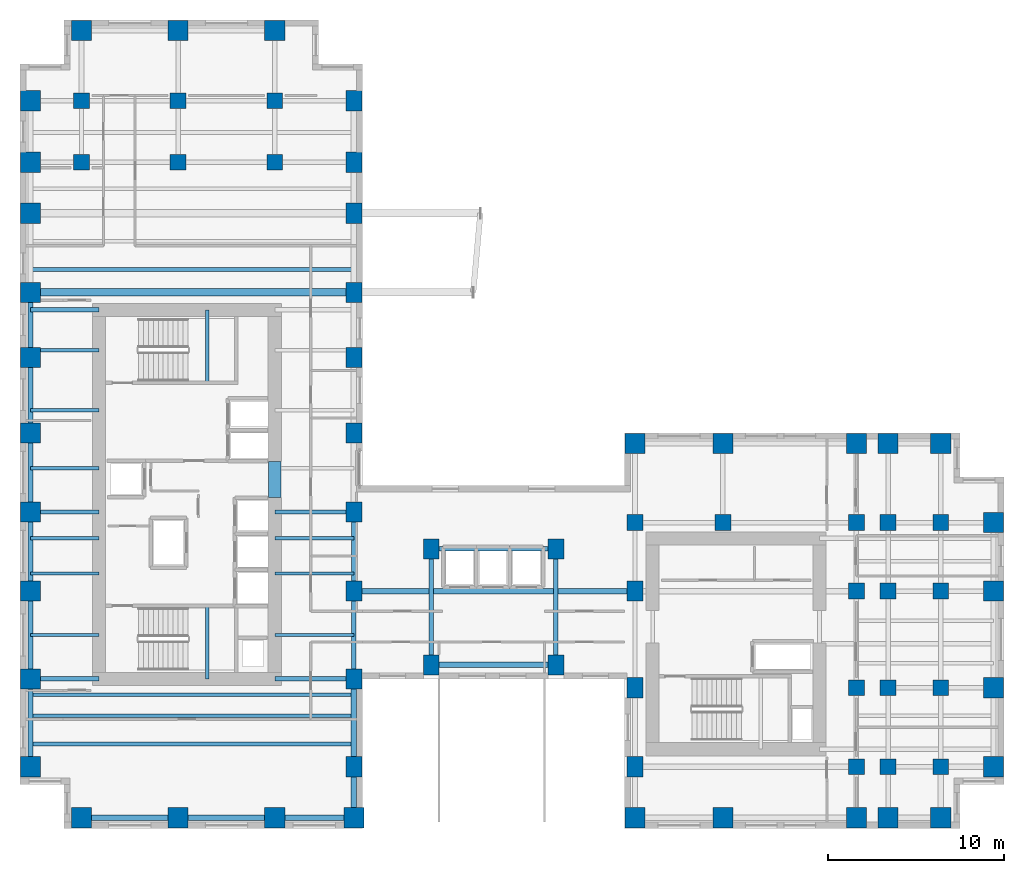
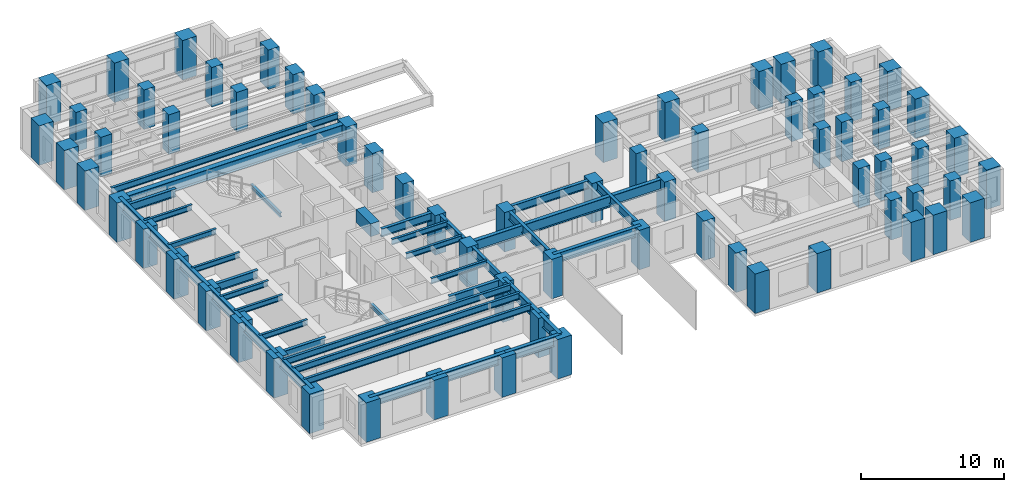
# One storey, part 1 of 13: 68 columns, 40 beams.
"""IFC4 building model written with IfcOpenShell, lengths in metres."""

import ifcopenshell
import ifcopenshell.guid

model = None  # the IFC model being written
_history = None  # IfcOwnerHistory: only IFC2X3 demands one
_inside = {}  # id of a spatial element -> (the spatial element, [elements in it])
_under = {}  # id of a project, library or spatial element -> (it, [spatial elements below it])
_declared = {}  # id of a project -> (the project, [libraries it declares])
_typed = {}  # id of a type object -> (the type object, [elements of that type])
_made_of = {}  # id of a material, layer set ... -> (it, [elements and type objects made of it])


def new_model(schema):
    """Start an empty IFC model of exactly this schema.

    Asked for "IFC4X3", IfcOpenShell would pick the latest addendum, in which some entities
    have other attributes; the version numbers below select the first issue.
    IFC2X3 requires an IfcOwnerHistory on every rooted entity: one is made here for all.
    """
    global model, _history
    if schema == "IFC4X3":
        model = ifcopenshell.file(schema_version=(4, 3, 0, 0))
    else:
        model = ifcopenshell.file(schema=schema)
    _inside.clear()
    _under.clear()
    _declared.clear()
    _typed.clear()
    _made_of.clear()
    _history = None
    if model.schema == "IFC2X3":
        org = make("IfcOrganization", Name="unknown")
        user = make(
            "IfcPersonAndOrganization",
            ThePerson=make("IfcPerson", FamilyName="unknown"),
            TheOrganization=org,
        )
        app = make(
            "IfcApplication",
            ApplicationDeveloper=org,
            Version="unknown",
            ApplicationFullName="unknown",
            ApplicationIdentifier="unknown",
        )
        _history = make(
            "IfcOwnerHistory",
            OwningUser=user,
            OwningApplication=app,
            ChangeAction="ADDED",
            CreationDate=0,
        )
    return model


def make(cls, **values):
    """One entity of the class cls with the attributes given. An attribute that is None is left unset."""
    return model.create_entity(
        cls, **{name: value for name, value in values.items() if value is not None}
    )


def rooted(cls, **values):
    """An entity with a GlobalId (a new one), such as an element, a storey or a relation."""
    return make(cls, GlobalId=ifcopenshell.guid.new(), OwnerHistory=_history, **values)


def si_unit(unit_type, name, prefix=None):
    """IfcSIUnit, for example si_unit("LENGTHUNIT", "METRE", prefix="MILLI")."""
    return make("IfcSIUnit", UnitType=unit_type, Prefix=prefix, Name=name)


def assignment(units):
    """IfcUnitAssignment: the units of a project."""
    return None if units is None else make("IfcUnitAssignment", Units=units)


def point(xyz):
    """IfcCartesianPoint."""
    return None if xyz is None else make("IfcCartesianPoint", Coordinates=xyz)


def direction(xyz):
    """IfcDirection."""
    return None if xyz is None else make("IfcDirection", DirectionRatios=xyz)


def frame(location, z_axis=None, x_axis=None):
    """IfcAxis2Placement3D, a coordinate frame: its origin and axes. An axis left out is left unset."""
    return make(
        "IfcAxis2Placement3D",
        Location=point(location),
        Axis=direction(z_axis),
        RefDirection=direction(x_axis),
    )


def frame_2d(location, x_axis=None):
    """IfcAxis2Placement2D, a coordinate frame in the plane: its origin and x axis."""
    return make(
        "IfcAxis2Placement2D", Location=point(location), RefDirection=direction(x_axis)
    )


def origin():
    """The frame at (0, 0, 0) with its axes left unset."""
    return frame((0.0, 0.0, 0.0))


def origin_2d():
    """The frame at (0, 0) in the plane with its x axis left unset."""
    return frame_2d((0.0, 0.0))


def place(relative_to, where):
    """IfcLocalPlacement: puts the frame where relative to a parent placement (None: the world)."""
    return make(
        "IfcLocalPlacement", PlacementRelTo=relative_to, RelativePlacement=where
    )


def context(
    kind, dimensions, precision=None, world=None, true_north=None, identifier=None
):
    """IfcGeometricRepresentationContext, for example the 3D "Model" context."""
    return make(
        "IfcGeometricRepresentationContext",
        ContextIdentifier=identifier,
        ContextType=kind,
        CoordinateSpaceDimension=dimensions,
        Precision=precision,
        WorldCoordinateSystem=world,
        TrueNorth=true_north,
    )


def subcontext(parent, identifier, kind, view, scale=None):
    """IfcGeometricRepresentationSubContext, for example "Body" below "Model"."""
    return make(
        "IfcGeometricRepresentationSubContext",
        ContextIdentifier=identifier,
        ContextType=kind,
        ParentContext=parent,
        TargetScale=scale,
        TargetView=view,
    )


def project(units=None, contexts=None):
    """IfcProject with its units and contexts."""
    return rooted(
        "IfcProject",
        Name="project",
        RepresentationContexts=contexts,
        UnitsInContext=assignment(units),
    )


def spatial(cls, under=None, at=None, **own):
    """A site, building, storey or space (cls), placed at a placement, below another one or the project."""
    s = rooted(cls, ObjectPlacement=at, **own)
    if under is not None:
        _under.setdefault(under.id(), (under, []))[1].append(s)
    return s


def profile(cls, at=None, kind="AREA", **sizes):
    """A parametric profile (cls). Its sizes go by their IFC names, for example OverallWidth=200.0."""
    return make(cls, ProfileType=kind, Position=at, **sizes)


def rectangle(**sizes):
    """IfcRectangleProfileDef."""
    return profile("IfcRectangleProfileDef", **sizes)


def i_section(**sizes):
    """IfcIShapeProfileDef."""
    return profile("IfcIShapeProfileDef", **sizes)


def extrude(swept, where, along, depth):
    """IfcExtrudedAreaSolid: the profile swept, set in the frame where, extruded along a direction by depth."""
    return make(
        "IfcExtrudedAreaSolid",
        SweptArea=swept,
        Position=where,
        ExtrudedDirection=direction(along),
        Depth=depth,
    )


def shape(context_of_items, identifier, shape_type, items):
    """IfcShapeRepresentation: the items that make up one representation, for example the "Body"."""
    return make(
        "IfcShapeRepresentation",
        ContextOfItems=context_of_items,
        RepresentationIdentifier=identifier,
        RepresentationType=shape_type,
        Items=items,
    )


def source(mapping_origin, context_of_items, identifier, shape_type, items):
    """IfcRepresentationMap: a shape defined once, which mapped items show again and again."""
    return make(
        "IfcRepresentationMap",
        MappingOrigin=mapping_origin,
        MappedRepresentation=shape(context_of_items, identifier, shape_type, items),
    )


def transform(
    local_origin,
    x_axis=None,
    y_axis=None,
    z_axis=None,
    scale=None,
    scale2=None,
    scale3=None,
    uniform=True,
):
    """IfcCartesianTransformationOperator3D, or its non-uniform kind. x_axis, y_axis, z_axis: its Axis1, 2, 3."""
    if uniform:
        return make(
            "IfcCartesianTransformationOperator3D",
            Axis1=direction(x_axis),
            Axis2=direction(y_axis),
            LocalOrigin=point(local_origin),
            Scale=scale,
            Axis3=direction(z_axis),
        )
    return make(
        "IfcCartesianTransformationOperator3DnonUniform",
        Axis1=direction(x_axis),
        Axis2=direction(y_axis),
        LocalOrigin=point(local_origin),
        Scale=scale,
        Axis3=direction(z_axis),
        Scale2=scale2,
        Scale3=scale3,
    )


def mapped(mapping_source, mapping_target):
    """IfcMappedItem: shows the shape of a source again, moved by a transform."""
    return make(
        "IfcMappedItem", MappingSource=mapping_source, MappingTarget=mapping_target
    )


def material(Name=None, Category=None):
    """IfcMaterial."""
    return make("IfcMaterial", Name=Name, Category=Category)


def material_profile(
    of_material, cross_section, Name=None, Category=None, Priority=None
):
    """IfcMaterialProfile: a cross section and its material."""
    return make(
        "IfcMaterialProfile",
        Name=Name,
        Material=of_material,
        Profile=cross_section,
        Priority=Priority,
        Category=Category,
    )


def profile_set(profiles, Name=None, composite=None):
    """IfcMaterialProfileSet."""
    return make(
        "IfcMaterialProfileSet",
        Name=Name,
        MaterialProfiles=profiles,
        CompositeProfile=composite,
    )


def made_of(thing, what):
    """Note that an element or type object is made of a material, layer set ...; save() writes the relation."""
    if what is not None:
        _made_of.setdefault(what.id(), (what, []))[1].append(thing)
    return thing


def type_object(cls, material=None, **own):
    """A type object (cls), such as IfcWallType, which elements share."""
    return made_of(rooted(cls, **own), material)


def element(
    cls,
    number,
    at=None,
    inside=None,
    cuts=None,
    type_object=None,
    material=None,
    context=None,
    identifier="Body",
    shape_type=None,
    held_by="IfcProductDefinitionShape",
    body=None,
    shapes=None,
    **own,
):
    """One element of the class cls, such as IfcWall. Its Tag is "e" and its number.

    at: its placement. inside: the storey or other place that contains it. cuts: it is an
    opening in that element (IfcRelVoidsElement). A single representation is given by context,
    identifier, shape_type and body (its items); several are given by shapes. held_by: the class
    of the entity that holds the representations. save() writes the other relations.
    """
    e = rooted(cls, Tag="e%d" % number, ObjectPlacement=at, **own)
    if body is not None:
        shapes = [shape(context, identifier, shape_type, body)]
    if shapes is not None:
        e.Representation = make(held_by, Representations=shapes)
    if inside is not None:
        _inside.setdefault(inside.id(), (inside, []))[1].append(e)
    if cuts is not None:
        rooted(
            "IfcRelVoidsElement", RelatingBuildingElement=cuts, RelatedOpeningElement=e
        )
    if type_object is not None:
        _typed.setdefault(type_object.id(), (type_object, []))[1].append(e)
    return made_of(e, material)


def aggregate(whole, parts):
    """IfcRelAggregates: a whole, such as a stair, and the parts it consists of."""
    return rooted("IfcRelAggregates", RelatingObject=whole, RelatedObjects=parts)


def save(model, path):
    """Write the relations noted so far, then the file.

    IfcRelAggregates (storeys below a building ...), IfcRelContainedInSpatialStructure (elements
    in a storey), IfcRelDefinesByType, IfcRelAssociatesMaterial and IfcRelDeclares: one each for
    every whole, place, type object, material and project.
    """
    for whole, parts in _under.values():
        aggregate(whole, parts)
    for where, things in _inside.values():
        rooted(
            "IfcRelContainedInSpatialStructure",
            RelatedElements=things,
            RelatingStructure=where,
        )
    for kind, things in _typed.values():
        rooted("IfcRelDefinesByType", RelatedObjects=things, RelatingType=kind)
    for what, things in _made_of.values():
        rooted("IfcRelAssociatesMaterial", RelatedObjects=things, RelatingMaterial=what)
    for by, libraries in _declared.values():
        rooted("IfcRelDeclares", RelatingContext=by, RelatedDefinitions=libraries)
    model.write(path)


model = new_model("IFC4")

# Units and contexts
model_context = context("Model", 3, precision=1e-05, world=origin(), true_north=direction((0.0, 1.0)))
body_context = subcontext(model_context, "Body", "Model", "MODEL_VIEW")
ifc_project = project(units=[si_unit("LENGTHUNIT", "METRE"), si_unit("AREAUNIT", "SQUARE_METRE"), si_unit("VOLUMEUNIT", "CUBIC_METRE"), si_unit("PLANEANGLEUNIT", "RADIAN"), si_unit("MASSUNIT", "GRAM", prefix="KILO")], contexts=[model_context])

# Site, building, storey
site_placement = place(None, origin())
site = spatial("IfcSite", under=ifc_project, at=site_placement, CompositionType="ELEMENT")
building_placement = place(site_placement, origin())
building = spatial("IfcBuilding", under=site, at=building_placement, Name="Kharzan Plaza Tower", CompositionType="ELEMENT")
storey_placement = place(building_placement, frame((0.0, 0.0, 109.800048828125)))
storey = spatial("IfcBuildingStorey", under=building, at=storey_placement, Name="L29", CompositionType="ELEMENT", Elevation=109.800048828125)

# Columns
ifc_material_1 = material(Name="Concrete C50/60", Category="concrete")
ifc_material_profile_1 = material_profile(ifc_material_1, rectangle(XDim=0.89990234375, YDim=0.89990234375, at=origin_2d()), Name="RC-IC900x900")
ifc_profile_set_1 = profile_set([ifc_material_profile_1], Name="Concrete C50/60")
column_type_1 = type_object("IfcColumnType", Name="COL-IC900", PredefinedType="COLUMN", material=ifc_profile_set_1)
shared_shape_1 = source(origin(), body_context, "Body", "SweptSolid", [
    extrude(rectangle(XDim=0.89990234375, YDim=0.89990234375, at=origin_2d()), origin(), (0.0, 0.0, 1.0), 3.3798828125),
])
for number, where, z_axis, x_axis, name in (
    (1, (47.60009765625, 13.5, 0.0), (0.0, 0.0, 1.0), (1.0, 0.0, 0.0), "L29 Structural Column TCBI-135"),
    (2, (47.60009765625, 3.5, 0.0), (0.0, 0.0, 1.0), (1.0, 0.0, 0.0), "L29 Structural Column TCBI-35"),
    (3, (47.60009765625, 8.0, 0.0), (0.0, 0.0, 1.0), (1.0, 0.0, 0.0), "L29 Structural Column TCBI-80"),
    (4, (35.0, 17.39990234375, 0.0), (0.0, 0.0, 1.0), (1.0, 0.0, 0.0), "L29 Structural Column TCBN-350-174"),
    (5, (40.0, 17.39990234375, 0.0), (0.0, 0.0, 1.0), (1.0, 0.0, 0.0), "L29 Structural Column TCBN-400-174"),
    (6, (47.60009765625, 17.39990234375, 0.0), (0.0, 0.0, 1.0), (1.0, 0.0, 0.0), "L29 Structural Column TCBN-476-174"),
    (7, (49.39990234375, 13.5, 0.0), (0.0, 0.0, 1.0), (1.0, 0.0, 0.0), "L29 Structural Column TCE-494-135"),
    (8, (49.39990234375, 17.39990234375, 0.0), (0.0, 0.0, 1.0), (1.0, 0.0, 0.0), "L29 Structural Column TCE-494-174"),
    (9, (49.39990234375, 3.5, 0.0), (0.0, 0.0, 1.0), (1.0, 0.0, 0.0), "L29 Structural Column TCE-494-35"),
    (10, (49.39990234375, 8.0, 0.0), (0.0, 0.0, 1.0), (1.0, 0.0, 0.0), "L29 Structural Column TCE-494-80"),
    (11, (52.39990234375, 13.5, 0.0), (0.0, 0.0, 1.0), (1.0, 0.0, 0.0), "L29 Structural Column TCE-524-135"),
    (12, (52.39990234375, 17.39990234375, 0.0), (0.0, 0.0, 1.0), (1.0, 0.0, 0.0), "L29 Structural Column TCE-524-174"),
    (13, (52.39990234375, 3.5, 0.0), (0.0, 0.0, 1.0), (1.0, 0.0, 0.0), "L29 Structural Column TCE-524-35"),
    (14, (52.39990234375, 8.0, 0.0), (0.0, 0.0, 1.0), (1.0, 0.0, 0.0), "L29 Structural Column TCE-524-80"),
    (15, (14.5, 37.89990234375, 0.0), (0.0, 0.0, 1.0), (1.0, 0.0, 0.0), "L29 Structural Column TCN-145-379"),
    (16, (14.5, 41.39990234375, 0.0), (0.0, 0.0, 1.0), (1.0, 0.0, 0.0), "L29 Structural Column TCN-145-414"),
    (17, (3.5, 37.89990234375, 0.0), (0.0, 0.0, 1.0), (1.0, 0.0, 0.0), "L29 Structural Column TCN-35-379"),
    (18, (3.5, 41.39990234375, 0.0), (0.0, 0.0, 1.0), (1.0, 0.0, 0.0), "L29 Structural Column TCN-35-414"),
    (19, (9.0, 37.89990234375, 0.0), (0.0, 0.0, 1.0), (1.0, 0.0, 0.0), "L29 Structural Column TCN-90-379"),
    (20, (9.0, 41.39990234375, 0.0), (0.0, 0.0, 1.0), (1.0, 0.0, 0.0), "L29 Structural Column TCN-90-414"),
):
    element("IfcColumn", number, at=place(storey_placement, frame(where, z_axis=z_axis, x_axis=x_axis)), inside=storey, type_object=column_type_1, Name=name, PredefinedType="COLUMN", context=body_context, shape_type="MappedRepresentation", body=[
        mapped(shared_shape_1, transform((0.0, 0.0, 0.0), x_axis=(1.0, 0.0, 0.0), y_axis=(0.0, 1.0, 0.0), z_axis=(0.0, 0.0, 1.0))),
    ])
ifc_material_2 = material(Name="Concrete C60/75", Category="concrete")
ifc_material_profile_2 = material_profile(ifc_material_2, rectangle(XDim=0.89990234375, YDim=1.14990234375, at=origin_2d()), Name="RC-SC1150x900")
ifc_profile_set_2 = profile_set([ifc_material_profile_2], Name="Concrete C60/75")
column_type_2 = type_object("IfcColumnType", Name="COL-SC1150", PredefinedType="COLUMN", material=ifc_profile_set_2)
shared_shape_2 = source(origin(), body_context, "Body", "SweptSolid", [
    extrude(rectangle(XDim=0.89990234375, YDim=1.14990234375, at=origin_2d()), origin(), (0.0, 0.0, 1.0), 3.3798828125),
])
for number, where, z_axis, x_axis, name in (
    (21, (19.0, 13.5, 0.0), (0.0, 0.0, 1.0), (1.0, 0.0, 0.0), "L29 Structural Column TCA-135"),
    (22, (19.0, 18.0, 0.0), (0.0, 0.0, 1.0), (1.0, 0.0, 0.0), "L29 Structural Column TCA-180"),
    (23, (19.0, 22.5, 0.0), (0.0, 0.0, 1.0), (1.0, 0.0, 0.0), "L29 Structural Column TCA-225"),
    (24, (19.0, 26.800048828125, 0.0), (0.0, 0.0, 1.0), (1.0, 0.0, 0.0), "L29 Structural Column TCA-268"),
    (25, (19.0, 30.5, 0.0), (0.0, 0.0, 1.0), (1.0, 0.0, 0.0), "L29 Structural Column TCA-305"),
    (26, (19.0, 3.5, 0.0), (0.0, 0.0, 1.0), (1.0, 0.0, 0.0), "L29 Structural Column TCA-35"),
    (27, (19.0, 35.0, 0.0), (0.0, 0.0, 1.0), (1.0, 0.0, 0.0), "L29 Structural Column TCA-350"),
    (28, (19.0, 37.89990234375, 0.0), (0.0, 0.0, 1.0), (1.0, 0.0, 0.0), "L29 Structural Column TCA-379"),
    (29, (19.0, 41.39990234375, 0.0), (0.0, 0.0, 1.0), (1.0, 0.0, 0.0), "L29 Structural Column TCA-414"),
    (30, (19.0, 8.5, 0.0), (0.0, 0.0, 1.0), (1.0, 0.0, 0.0), "L29 Structural Column TCA-85"),
    (31, (35.0, 13.5, 0.0), (0.0, 0.0, 1.0), (1.0, 0.0, 0.0), "L29 Structural Column TCBS-135"),
    (32, (35.0, 3.5, 0.0), (0.0, 0.0, 1.0), (1.0, 0.0, 0.0), "L29 Structural Column TCBS-35"),
    (33, (35.0, 8.0, 0.0), (0.0, 0.0, 1.0), (1.0, 0.0, 0.0), "L29 Structural Column TCBS-80"),
    (34, (23.39990234375, 15.89990234375, 0.0), (0.0, 0.0, 1.0), (1.0, 0.0, 0.0), "L29 Structural Column TCSP-234-159"),
    (35, (23.39990234375, 9.300048828125, 0.0), (0.0, 0.0, 1.0), (1.0, 0.0, 0.0), "L29 Structural Column TCSP-234-93"),
    (36, (30.5, 15.89990234375, 0.0), (0.0, 0.0, 1.0), (1.0, 0.0, 0.0), "L29 Structural Column TCSP-305-159"),
    (37, (30.5, 9.300048828125, 0.0), (0.0, 0.0, 1.0), (1.0, 0.0, 0.0), "L29 Structural Column TCSP-305-93"),
):
    element("IfcColumn", number, at=place(storey_placement, frame(where, z_axis=z_axis, x_axis=x_axis)), inside=storey, type_object=column_type_2, Name=name, PredefinedType="COLUMN", context=body_context, shape_type="MappedRepresentation", body=[
        mapped(shared_shape_2, transform((0.0, 0.0, 0.0), x_axis=(1.0, 0.0, 0.0), y_axis=(0.0, 1.0, 0.0), z_axis=(0.0, 0.0, 1.0))),
    ])
ifc_material_profile_3 = material_profile(ifc_material_2, rectangle(XDim=1.14990234375, YDim=1.14990234375, at=origin_2d()), Name="RC-TC1150x1150")
ifc_profile_set_3 = profile_set([ifc_material_profile_3], Name="Concrete C60/75")
column_type_3 = type_object("IfcColumnType", Name="COL-TC1150", PredefinedType="COLUMN", material=ifc_profile_set_3)
shared_shape_3 = source(origin(), body_context, "Body", "SweptSolid", [
    extrude(rectangle(XDim=1.14990234375, YDim=1.14990234375, at=origin_2d()), origin(), (0.0, 0.0, 1.0), 3.3798828125),
])
for number, where, z_axis, x_axis, name in (
    (38, (35.0, 21.89990234375, 0.0), (0.0, 0.0, 1.0), (1.0, 0.0, 0.0), "L29 Structural Column TCBN-350-219"),
    (39, (40.0, 21.89990234375, 0.0), (0.0, 0.0, 1.0), (1.0, 0.0, 0.0), "L29 Structural Column TCBN-400-219"),
    (40, (47.60009765625, 21.89990234375, 0.0), (0.0, 0.0, 1.0), (1.0, 0.0, 0.0), "L29 Structural Column TCBN-476-219"),
    (41, (49.39990234375, 21.89990234375, 0.0), (0.0, 0.0, 1.0), (1.0, 0.0, 0.0), "L29 Structural Column TCBN-494-219"),
    (42, (52.39990234375, 21.89990234375, 0.0), (0.0, 0.0, 1.0), (1.0, 0.0, 0.0), "L29 Structural Column TCBN-524-219"),
    (43, (55.39990234375, 13.5, 0.0), (0.0, 0.0, 1.0), (1.0, 0.0, 0.0), "L29 Structural Column TCE-554-135"),
    (44, (55.39990234375, 17.39990234375, 0.0), (0.0, 0.0, 1.0), (1.0, 0.0, 0.0), "L29 Structural Column TCE-554-174"),
    (45, (55.39990234375, 3.5, 0.0), (0.0, 0.0, 1.0), (1.0, 0.0, 0.0), "L29 Structural Column TCE-554-35"),
    (46, (55.39990234375, 8.0, 0.0), (0.0, 0.0, 1.0), (1.0, 0.0, 0.0), "L29 Structural Column TCE-554-80"),
    (47, (14.5, 45.39990234375, 0.0), (0.0, 0.0, 1.0), (1.0, 0.0, 0.0), "L29 Structural Column TCN-145-454"),
    (48, (3.5, 45.39990234375, 0.0), (0.0, 0.0, 1.0), (1.0, 0.0, 0.0), "L29 Structural Column TCN-35-454"),
    (49, (9.0, 45.39990234375, 0.0), (0.0, 0.0, 1.0), (1.0, 0.0, 0.0), "L29 Structural Column TCN-90-454"),
    (50, (14.5, 0.60009765625, 0.0), (0.0, 0.0, 1.0), (1.0, 0.0, 0.0), "L29 Structural Column TCS-145"),
    (51, (19.0, 0.60009765625, 0.0), (0.0, 0.0, 1.0), (1.0, 0.0, 0.0), "L29 Structural Column TCS-190"),
    (52, (3.5, 0.60009765625, 0.0), (0.0, 0.0, 1.0), (1.0, 0.0, 0.0), "L29 Structural Column TCS-35"),
    (53, (35.0, 0.60009765625, 0.0), (0.0, 0.0, 1.0), (1.0, 0.0, 0.0), "L29 Structural Column TCS-350"),
    (54, (40.0, 0.60009765625, 0.0), (0.0, 0.0, 1.0), (1.0, 0.0, 0.0), "L29 Structural Column TCS-400"),
    (55, (47.60009765625, 0.60009765625, 0.0), (0.0, 0.0, 1.0), (1.0, 0.0, 0.0), "L29 Structural Column TCS-476"),
    (56, (49.39990234375, 0.60009765625, 0.0), (0.0, 0.0, 1.0), (1.0, 0.0, 0.0), "L29 Structural Column TCS-494"),
    (57, (52.39990234375, 0.60009765625, 0.0), (0.0, 0.0, 1.0), (1.0, 0.0, 0.0), "L29 Structural Column TCS-524"),
    (58, (9.0, 0.60009765625, 0.0), (0.0, 0.0, 1.0), (1.0, 0.0, 0.0), "L29 Structural Column TCS-90"),
    (59, (0.60009765625, 13.5, 0.0), (0.0, 0.0, 1.0), (1.0, 0.0, 0.0), "L29 Structural Column TCW-135"),
    (60, (0.60009765625, 18.0, 0.0), (0.0, 0.0, 1.0), (1.0, 0.0, 0.0), "L29 Structural Column TCW-180"),
    (61, (0.60009765625, 22.5, 0.0), (0.0, 0.0, 1.0), (1.0, 0.0, 0.0), "L29 Structural Column TCW-225"),
    (62, (0.60009765625, 26.800048828125, 0.0), (0.0, 0.0, 1.0), (1.0, 0.0, 0.0), "L29 Structural Column TCW-268"),
    (63, (0.60009765625, 30.5, 0.0), (0.0, 0.0, 1.0), (1.0, 0.0, 0.0), "L29 Structural Column TCW-305"),
    (64, (0.60009765625, 3.5, 0.0), (0.0, 0.0, 1.0), (1.0, 0.0, 0.0), "L29 Structural Column TCW-35"),
    (65, (0.60009765625, 35.0, 0.0), (0.0, 0.0, 1.0), (1.0, 0.0, 0.0), "L29 Structural Column TCW-350"),
    (66, (0.60009765625, 37.89990234375, 0.0), (0.0, 0.0, 1.0), (1.0, 0.0, 0.0), "L29 Structural Column TCW-379"),
    (67, (0.60009765625, 41.39990234375, 0.0), (0.0, 0.0, 1.0), (1.0, 0.0, 0.0), "L29 Structural Column TCW-414"),
    (68, (0.60009765625, 8.5, 0.0), (0.0, 0.0, 1.0), (1.0, 0.0, 0.0), "L29 Structural Column TCW-85"),
):
    element("IfcColumn", number, at=place(storey_placement, frame(where, z_axis=z_axis, x_axis=x_axis)), inside=storey, type_object=column_type_3, Name=name, PredefinedType="COLUMN", context=body_context, shape_type="MappedRepresentation", body=[
        mapped(shared_shape_3, transform((0.0, 0.0, 0.0), x_axis=(1.0, 0.0, 0.0), y_axis=(0.0, 1.0, 0.0), z_axis=(0.0, 0.0, 1.0))),
    ])

# Beams
ifc_material_profile_4 = material_profile(ifc_material_2, rectangle(XDim=0.699951171875, YDim=1.10009765625, at=origin_2d()), Name="RC-CB1100x700")
ifc_profile_set_4 = profile_set([ifc_material_profile_4], Name="Concrete C60/75")
beam_type_1 = type_object("IfcBeamType", Name="BM-RCCB1100", PredefinedType="LINTEL", material=ifc_profile_set_4)
shared_shape_4 = source(origin(), body_context, "Body", "SweptSolid", [
    extrude(rectangle(XDim=0.699951171875, YDim=1.10009765625, at=origin_2d()), origin(), (0.0, 0.0, 1.0), 2.059814453125),
])
beam_1_placement = place(storey_placement, frame((14.5, 18.820068359375, 2.829833984375), z_axis=(0.0, 1.0, 0.0), x_axis=(-1.0, 0.0, 0.0)))
element("IfcBeam", 69, at=beam_1_placement, inside=storey, type_object=beam_type_1, Name="L29 CORE-A RC coupling beam CB1", PredefinedType="LINTEL", context=body_context, shape_type="MappedRepresentation", body=[
    mapped(shared_shape_4, transform((0.0, 0.0, 0.0), x_axis=(1.0, 0.0, 0.0), y_axis=(0.0, 1.0, 0.0), z_axis=(0.0, 0.0, 1.0))),
])
ifc_material_3 = material(Name="Steel S355", Category="steel")
ifc_material_profile_5 = material_profile(ifc_material_3, i_section(OverallWidth=0.205078125, OverallDepth=0.35400390625, WebThickness=0.009521484375, FlangeThickness=0.016845703125, at=origin_2d()), Name="W360x79")
ifc_profile_set_5 = profile_set([ifc_material_profile_5], Name="Steel S355")
beam_type_2 = type_object("IfcBeamType", Name="BM-LNT360", PredefinedType="LINTEL", material=ifc_profile_set_5)
shared_shape_5 = source(origin(), body_context, "Body", "SweptSolid", [
    extrude(i_section(OverallWidth=0.205078125, OverallDepth=0.35400390625, WebThickness=0.009521484375, FlangeThickness=0.016845703125, at=origin_2d()), origin(), (0.0, 0.0, 1.0), 4.155029296875),
])
for number, where, z_axis, x_axis, name in (
    (70, (10.64990234375, 8.5, 1.4228515625), (0.0, 1.0, 0.0), (-1.0, 0.0, 0.0), "L29 Stair ST-1 Half-Landing Beam"),
    (71, (10.64990234375, 25.344970703125, 1.4228515625), (0.0, 1.0, 0.0), (-1.0, 0.0, 0.0), "L29 Stair ST-2 Half-Landing Beam"),
):
    element("IfcBeam", number, at=place(storey_placement, frame(where, z_axis=z_axis, x_axis=x_axis)), inside=storey, type_object=beam_type_2, Name=name, PredefinedType="LINTEL", context=body_context, shape_type="MappedRepresentation", body=[
        mapped(shared_shape_5, transform((0.0, 0.0, 0.0), x_axis=(1.0, 0.0, 0.0), y_axis=(0.0, 1.0, 0.0), z_axis=(0.0, 0.0, 1.0))),
    ])
ifc_material_profile_6 = material_profile(ifc_material_3, i_section(OverallWidth=0.304931640625, OverallDepth=0.9189453125, WebThickness=0.017333984375, FlangeThickness=0.02783203125, at=origin_2d()), Name="W920x253")
ifc_profile_set_6 = profile_set([ifc_material_profile_6], Name="Steel S355")
beam_type_3 = type_object("IfcBeamType", Name="BM-FG920B", PredefinedType="BEAM", material=ifc_profile_set_6)
shared_shape_6 = source(origin(), body_context, "Body", "SweptSolid", [
    extrude(i_section(OverallWidth=0.304931640625, OverallDepth=0.9189453125, WebThickness=0.017333984375, FlangeThickness=0.02783203125, at=origin_2d()), origin(), (0.0, 0.0, 1.0), 16.0),
])
beam_2_placement = place(storey_placement, frame((19.0, 13.5, 2.92041015625), z_axis=(1.0, 0.0, 0.0), x_axis=(0.0, 1.0, 0.0)))
element("IfcBeam", 72, at=beam_2_placement, inside=storey, type_object=beam_type_3, Name="L29 Primary Floor Girder", PredefinedType="BEAM", context=body_context, shape_type="MappedRepresentation", body=[
    mapped(shared_shape_6, transform((0.0, 0.0, 0.0), x_axis=(1.0, 0.0, 0.0), y_axis=(0.0, 1.0, 0.0), z_axis=(0.0, 0.0, 1.0))),
])
ifc_material_profile_7 = material_profile(ifc_material_3, i_section(OverallWidth=0.2099609375, OverallDepth=0.537109375, WebThickness=0.010986328125, FlangeThickness=0.017333984375, at=origin_2d()), Name="W530x101")
ifc_profile_set_7 = profile_set([ifc_material_profile_7], Name="Steel S355")
beam_type_4 = type_object("IfcBeamType", Name="BM-JST530B", PredefinedType="JOIST", material=ifc_profile_set_7)
shared_shape_7 = source(origin(), body_context, "Body", "SweptSolid", [
    extrude(i_section(OverallWidth=0.2099609375, OverallDepth=0.537109375, WebThickness=0.010986328125, FlangeThickness=0.017333984375, at=origin_2d()), origin(), (0.0, 0.0, 1.0), 18.39990234375),
])
for number, where, z_axis, x_axis, name in (
    (73, (0.60009765625, 4.800048828125, 3.111572265625), (1.0, 0.0, 0.0), (0.0, 1.0, 0.0), "L29 Wing A Composite Joist 01"),
    (74, (0.60009765625, 6.39990234375, 3.111572265625), (1.0, 0.0, 0.0), (0.0, 1.0, 0.0), "L29 Wing A Composite Joist 02"),
    (75, (0.60009765625, 7.60009765625, 3.111572265625), (1.0, 0.0, 0.0), (0.0, 1.0, 0.0), "L29 Wing A Composite Joist 03"),
    (76, (0.60009765625, 31.800048828125, 3.111572265625), (1.0, 0.0, 0.0), (0.0, 1.0, 0.0), "L29 Wing A Composite Joist 04"),
):
    element("IfcBeam", number, at=place(storey_placement, frame(where, z_axis=z_axis, x_axis=x_axis)), inside=storey, type_object=beam_type_4, Name=name, PredefinedType="JOIST", context=body_context, shape_type="MappedRepresentation", body=[
        mapped(shared_shape_7, transform((0.0, 0.0, 0.0), x_axis=(1.0, 0.0, 0.0), y_axis=(0.0, 1.0, 0.0), z_axis=(0.0, 0.0, 1.0))),
    ])
ifc_material_profile_8 = material_profile(ifc_material_3, i_section(OverallWidth=0.194091796875, OverallDepth=0.468994140625, WebThickness=0.011474609375, FlangeThickness=0.0205078125, at=origin_2d()), Name="W460x106")
ifc_profile_set_8 = profile_set([ifc_material_profile_8], Name="Steel S355")
beam_type_5 = type_object("IfcBeamType", Name="BM-JST460", PredefinedType="JOIST", material=ifc_profile_set_8)
shared_shape_8 = source(origin(), body_context, "Body", "SweptSolid", [
    extrude(i_section(OverallWidth=0.194091796875, OverallDepth=0.468994140625, WebThickness=0.011474609375, FlangeThickness=0.0205078125, at=origin_2d()), origin(), (0.0, 0.0, 1.0), 4.5),
])
for number, where, z_axis, x_axis, name in (
    (77, (14.5, 11.0, 3.1455078125), (1.0, 0.0, 0.0), (0.0, 1.0, 0.0), "L29 Wing A East Infill Joist 1"),
    (78, (14.5, 14.5, 3.1455078125), (1.0, 0.0, 0.0), (0.0, 1.0, 0.0), "L29 Wing A East Infill Joist 2"),
    (79, (14.5, 16.5, 3.1455078125), (1.0, 0.0, 0.0), (0.0, 1.0, 0.0), "L29 Wing A East Infill Joist 3"),
):
    element("IfcBeam", number, at=place(storey_placement, frame(where, z_axis=z_axis, x_axis=x_axis)), inside=storey, type_object=beam_type_5, Name=name, PredefinedType="JOIST", context=body_context, shape_type="MappedRepresentation", body=[
        mapped(shared_shape_8, transform((0.0, 0.0, 0.0), x_axis=(1.0, 0.0, 0.0), y_axis=(0.0, 1.0, 0.0), z_axis=(0.0, 0.0, 1.0))),
    ])
shared_shape_9 = source(origin(), body_context, "Body", "SweptSolid", [
    extrude(i_section(OverallWidth=0.194091796875, OverallDepth=0.468994140625, WebThickness=0.011474609375, FlangeThickness=0.0205078125, at=origin_2d()), origin(), (0.0, 0.0, 1.0), 3.89990234375),
])
for number, where, z_axis, x_axis, name in (
    (80, (0.60009765625, 11.0, 3.1455078125), (1.0, 0.0, 0.0), (0.0, 1.0, 0.0), "L29 Wing A West Infill Joist 1"),
    (81, (0.60009765625, 14.5, 3.1455078125), (1.0, 0.0, 0.0), (0.0, 1.0, 0.0), "L29 Wing A West Infill Joist 2"),
    (82, (0.60009765625, 16.5, 3.1455078125), (1.0, 0.0, 0.0), (0.0, 1.0, 0.0), "L29 Wing A West Infill Joist 3"),
    (83, (0.60009765625, 20.5, 3.1455078125), (1.0, 0.0, 0.0), (0.0, 1.0, 0.0), "L29 Wing A West Infill Joist 4"),
    (84, (0.60009765625, 23.800048828125, 3.1455078125), (1.0, 0.0, 0.0), (0.0, 1.0, 0.0), "L29 Wing A West Infill Joist 5"),
    (85, (0.60009765625, 27.199951171875, 3.1455078125), (1.0, 0.0, 0.0), (0.0, 1.0, 0.0), "L29 Wing A West Infill Joist 6"),
):
    element("IfcBeam", number, at=place(storey_placement, frame(where, z_axis=z_axis, x_axis=x_axis)), inside=storey, type_object=beam_type_5, Name=name, PredefinedType="JOIST", context=body_context, shape_type="MappedRepresentation", body=[
        mapped(shared_shape_9, transform((0.0, 0.0, 0.0), x_axis=(1.0, 0.0, 0.0), y_axis=(0.0, 1.0, 0.0), z_axis=(0.0, 0.0, 1.0))),
    ])
ifc_material_profile_9 = material_profile(ifc_material_3, i_section(OverallWidth=0.41796875, OverallDepth=0.93701171875, WebThickness=0.019287109375, FlangeThickness=0.031982421875, at=origin_2d()), Name="W920x342")
ifc_profile_set_9 = profile_set([ifc_material_profile_9], Name="Steel S355")
beam_type_6 = type_object("IfcBeamType", Name="BM-ZTB920", PredefinedType="BEAM", material=ifc_profile_set_9)
shared_shape_10 = source(origin(), body_context, "Body", "SweptSolid", [
    extrude(i_section(OverallWidth=0.41796875, OverallDepth=0.93701171875, WebThickness=0.019287109375, FlangeThickness=0.031982421875, at=origin_2d()), origin(), (0.0, 0.0, 1.0), 18.39990234375),
])
beam_3_placement = place(storey_placement, frame((0.60009765625, 30.5, 2.911376953125), z_axis=(1.0, 0.0, 0.0), x_axis=(0.0, 1.0, 0.0)))
element("IfcBeam", 86, at=beam_3_placement, inside=storey, type_object=beam_type_6, Name="L29 Sky-Terrace Back-Span Girder ZTB1 (L30 G1)", PredefinedType="BEAM", context=body_context, shape_type="MappedRepresentation", body=[
    mapped(shared_shape_10, transform((0.0, 0.0, 0.0), x_axis=(1.0, 0.0, 0.0), y_axis=(0.0, 1.0, 0.0), z_axis=(0.0, 0.0, 1.0))),
])
ifc_material_profile_10 = material_profile(ifc_material_3, i_section(OverallWidth=0.25390625, OverallDepth=0.68798828125, WebThickness=0.01318359375, FlangeThickness=0.02099609375, at=origin_2d()), Name="W690x152")
ifc_profile_set_10 = profile_set([ifc_material_profile_10], Name="Steel S355")
beam_type_7 = type_object("IfcBeamType", Name="BM-FG690B", PredefinedType="BEAM", material=ifc_profile_set_10)
shared_shape_11 = source(origin(), body_context, "Body", "SweptSolid", [
    extrude(i_section(OverallWidth=0.25390625, OverallDepth=0.68798828125, WebThickness=0.01318359375, FlangeThickness=0.02099609375, at=origin_2d()), origin(), (0.0, 0.0, 1.0), 4.5),
])
for number, where, z_axis, x_axis, name in (
    (87, (14.5, 8.5, 3.035888671875), (1.0, 0.0, 0.0), (0.0, 1.0, 0.0), "L29 Core-A East Floor Girder 1"),
    (88, (14.5, 18.0, 3.035888671875), (1.0, 0.0, 0.0), (0.0, 1.0, 0.0), "L29 Core-A East Floor Girder 2"),
    (89, (19.0, 13.5, 3.035888671875), (0.0, 1.0, 0.0), (-1.0, 0.0, 0.0), "L29 Interior Frame Girder"),
):
    element("IfcBeam", number, at=place(storey_placement, frame(where, z_axis=z_axis, x_axis=x_axis)), inside=storey, type_object=beam_type_7, Name=name, PredefinedType="BEAM", context=body_context, shape_type="MappedRepresentation", body=[
        mapped(shared_shape_11, transform((0.0, 0.0, 0.0), x_axis=(1.0, 0.0, 0.0), y_axis=(0.0, 1.0, 0.0), z_axis=(0.0, 0.0, 1.0))),
    ])
shared_shape_12 = source(origin(), body_context, "Body", "SweptSolid", [
    extrude(i_section(OverallWidth=0.25390625, OverallDepth=0.68798828125, WebThickness=0.01318359375, FlangeThickness=0.02099609375, at=origin_2d()), origin(), (0.0, 0.0, 1.0), 3.89990234375),
])
for number, where, z_axis, x_axis, name in (
    (90, (0.60009765625, 8.5, 3.035888671875), (1.0, 0.0, 0.0), (0.0, 1.0, 0.0), "L29 Core-A West Floor Girder 1"),
    (91, (0.60009765625, 18.0, 3.035888671875), (1.0, 0.0, 0.0), (0.0, 1.0, 0.0), "L29 Core-A West Floor Girder 2"),
    (92, (0.60009765625, 29.5, 3.035888671875), (1.0, 0.0, 0.0), (0.0, 1.0, 0.0), "L29 Core-A West Floor Girder 3"),
):
    element("IfcBeam", number, at=place(storey_placement, frame(where, z_axis=z_axis, x_axis=x_axis)), inside=storey, type_object=beam_type_7, Name=name, PredefinedType="BEAM", context=body_context, shape_type="MappedRepresentation", body=[
        mapped(shared_shape_12, transform((0.0, 0.0, 0.0), x_axis=(1.0, 0.0, 0.0), y_axis=(0.0, 1.0, 0.0), z_axis=(0.0, 0.0, 1.0))),
    ])
shared_shape_13 = source(origin(), body_context, "Body", "SweptSolid", [
    extrude(i_section(OverallWidth=0.25390625, OverallDepth=0.68798828125, WebThickness=0.01318359375, FlangeThickness=0.02099609375, at=origin_2d()), origin(), (0.0, 0.0, 1.0), 5.0),
])
beam_4_placement = place(storey_placement, frame((19.0, 8.5, 3.035888671875), z_axis=(0.0, 1.0, 0.0), x_axis=(-1.0, 0.0, 0.0)))
element("IfcBeam", 93, at=beam_4_placement, inside=storey, type_object=beam_type_7, Name="L29 Interior Frame Girder", PredefinedType="BEAM", context=body_context, shape_type="MappedRepresentation", body=[
    mapped(shared_shape_13, transform((0.0, 0.0, 0.0), x_axis=(1.0, 0.0, 0.0), y_axis=(0.0, 1.0, 0.0), z_axis=(0.0, 0.0, 1.0))),
])
shared_shape_14 = source(origin(), body_context, "Body", "SweptSolid", [
    extrude(i_section(OverallWidth=0.25390625, OverallDepth=0.68798828125, WebThickness=0.01318359375, FlangeThickness=0.02099609375, at=origin_2d()), origin(), (0.0, 0.0, 1.0), 6.599853515625),
])
for number, where, z_axis, x_axis, name in (
    (94, (23.39990234375, 9.300048828125, 3.035888671875), (0.0, 1.0, 0.0), (-1.0, 0.0, 0.0), "L29 Interior Frame Girder"),
    (95, (30.5, 9.300048828125, 3.035888671875), (0.0, 1.0, 0.0), (-1.0, 0.0, 0.0), "L29 Interior Frame Girder"),
):
    element("IfcBeam", number, at=place(storey_placement, frame(where, z_axis=z_axis, x_axis=x_axis)), inside=storey, type_object=beam_type_7, Name=name, PredefinedType="BEAM", context=body_context, shape_type="MappedRepresentation", body=[
        mapped(shared_shape_14, transform((0.0, 0.0, 0.0), x_axis=(1.0, 0.0, 0.0), y_axis=(0.0, 1.0, 0.0), z_axis=(0.0, 0.0, 1.0))),
    ])
shared_shape_15 = source(origin(), body_context, "Body", "SweptSolid", [
    extrude(i_section(OverallWidth=0.25390625, OverallDepth=0.68798828125, WebThickness=0.01318359375, FlangeThickness=0.02099609375, at=origin_2d()), origin(), (0.0, 0.0, 1.0), 7.10009765625),
])
beam_5_placement = place(storey_placement, frame((23.39990234375, 15.89990234375, 3.035888671875), z_axis=(1.0, 0.0, 0.0), x_axis=(0.0, 1.0, 0.0)))
element("IfcBeam", 96, at=beam_5_placement, inside=storey, type_object=beam_type_7, Name="L29 Primary Floor Girder", PredefinedType="BEAM", context=body_context, shape_type="MappedRepresentation", body=[
    mapped(shared_shape_15, transform((0.0, 0.0, 0.0), x_axis=(1.0, 0.0, 0.0), y_axis=(0.0, 1.0, 0.0), z_axis=(0.0, 0.0, 1.0))),
])
ifc_material_profile_11 = material_profile(ifc_material_3, i_section(OverallWidth=0.299072265625, OverallDepth=0.845947265625, WebThickness=0.015380859375, FlangeThickness=0.0244140625, at=origin_2d()), Name="W840x210")
ifc_profile_set_11 = profile_set([ifc_material_profile_11], Name="Steel S355")
beam_type_8 = type_object("IfcBeamType", Name="BM-SP840B", PredefinedType="SPANDREL", material=ifc_profile_set_11)
shared_shape_16 = source(origin(), body_context, "Body", "SweptSolid", [
    extrude(i_section(OverallWidth=0.299072265625, OverallDepth=0.845947265625, WebThickness=0.015380859375, FlangeThickness=0.0244140625, at=origin_2d()), origin(), (0.0, 0.0, 1.0), 5.0),
])
for number, where, z_axis, x_axis, name in (
    (97, (0.60009765625, 3.5, 2.95703125), (0.0, 1.0, 0.0), (-1.0, 0.0, 0.0), "L29 Perimeter Tube Spandrel"),
    (98, (0.60009765625, 8.5, 2.95703125), (0.0, 1.0, 0.0), (-1.0, 0.0, 0.0), "L29 Perimeter Tube Spandrel"),
    (99, (19.0, 3.5, 2.95703125), (0.0, 1.0, 0.0), (-1.0, 0.0, 0.0), "L29 Perimeter Tube Spandrel"),
):
    element("IfcBeam", number, at=place(storey_placement, frame(where, z_axis=z_axis, x_axis=x_axis)), inside=storey, type_object=beam_type_8, Name=name, PredefinedType="SPANDREL", context=body_context, shape_type="MappedRepresentation", body=[
        mapped(shared_shape_16, transform((0.0, 0.0, 0.0), x_axis=(1.0, 0.0, 0.0), y_axis=(0.0, 1.0, 0.0), z_axis=(0.0, 0.0, 1.0))),
    ])
shared_shape_17 = source(origin(), body_context, "Body", "SweptSolid", [
    extrude(i_section(OverallWidth=0.299072265625, OverallDepth=0.845947265625, WebThickness=0.015380859375, FlangeThickness=0.0244140625, at=origin_2d()), origin(), (0.0, 0.0, 1.0), 4.5),
])
for number, where, z_axis, x_axis, name in (
    (100, (0.60009765625, 13.5, 2.95703125), (0.0, 1.0, 0.0), (-1.0, 0.0, 0.0), "L29 Perimeter Tube Spandrel"),
    (101, (0.60009765625, 18.0, 2.95703125), (0.0, 1.0, 0.0), (-1.0, 0.0, 0.0), "L29 Perimeter Tube Spandrel"),
    (102, (14.5, 0.60009765625, 2.95703125), (1.0, 0.0, 0.0), (0.0, 1.0, 0.0), "L29 Perimeter Tube Spandrel"),
):
    element("IfcBeam", number, at=place(storey_placement, frame(where, z_axis=z_axis, x_axis=x_axis)), inside=storey, type_object=beam_type_8, Name=name, PredefinedType="SPANDREL", context=body_context, shape_type="MappedRepresentation", body=[
        mapped(shared_shape_17, transform((0.0, 0.0, 0.0), x_axis=(1.0, 0.0, 0.0), y_axis=(0.0, 1.0, 0.0), z_axis=(0.0, 0.0, 1.0))),
    ])
shared_shape_18 = source(origin(), body_context, "Body", "SweptSolid", [
    extrude(i_section(OverallWidth=0.299072265625, OverallDepth=0.845947265625, WebThickness=0.015380859375, FlangeThickness=0.0244140625, at=origin_2d()), origin(), (0.0, 0.0, 1.0), 4.300048828125),
])
beam_6_placement = place(storey_placement, frame((0.60009765625, 22.5, 2.95703125), z_axis=(0.0, 1.0, 0.0), x_axis=(-1.0, 0.0, 0.0)))
element("IfcBeam", 103, at=beam_6_placement, inside=storey, type_object=beam_type_8, Name="L29 Perimeter Tube Spandrel", PredefinedType="SPANDREL", context=body_context, shape_type="MappedRepresentation", body=[
    mapped(shared_shape_18, transform((0.0, 0.0, 0.0), x_axis=(1.0, 0.0, 0.0), y_axis=(0.0, 1.0, 0.0), z_axis=(0.0, 0.0, 1.0))),
])
shared_shape_19 = source(origin(), body_context, "Body", "SweptSolid", [
    extrude(i_section(OverallWidth=0.299072265625, OverallDepth=0.845947265625, WebThickness=0.015380859375, FlangeThickness=0.0244140625, at=origin_2d()), origin(), (0.0, 0.0, 1.0), 3.699951171875),
])
beam_7_placement = place(storey_placement, frame((0.60009765625, 26.800048828125, 2.95703125), z_axis=(0.0, 1.0, 0.0), x_axis=(-1.0, 0.0, 0.0)))
element("IfcBeam", 104, at=beam_7_placement, inside=storey, type_object=beam_type_8, Name="L29 Perimeter Tube Spandrel", PredefinedType="SPANDREL", context=body_context, shape_type="MappedRepresentation", body=[
    mapped(shared_shape_19, transform((0.0, 0.0, 0.0), x_axis=(1.0, 0.0, 0.0), y_axis=(0.0, 1.0, 0.0), z_axis=(0.0, 0.0, 1.0))),
])
shared_shape_20 = source(origin(), body_context, "Body", "SweptSolid", [
    extrude(i_section(OverallWidth=0.299072265625, OverallDepth=0.845947265625, WebThickness=0.015380859375, FlangeThickness=0.0244140625, at=origin_2d()), origin(), (0.0, 0.0, 1.0), 2.89990234375),
])
beam_8_placement = place(storey_placement, frame((19.0, 0.60009765625, 2.95703125), z_axis=(0.0, 1.0, 0.0), x_axis=(-1.0, 0.0, 0.0)))
element("IfcBeam", 105, at=beam_8_placement, inside=storey, type_object=beam_type_8, Name="L29 Perimeter Tube Spandrel", PredefinedType="SPANDREL", context=body_context, shape_type="MappedRepresentation", body=[
    mapped(shared_shape_20, transform((0.0, 0.0, 0.0), x_axis=(1.0, 0.0, 0.0), y_axis=(0.0, 1.0, 0.0), z_axis=(0.0, 0.0, 1.0))),
])
shared_shape_21 = source(origin(), body_context, "Body", "SweptSolid", [
    extrude(i_section(OverallWidth=0.299072265625, OverallDepth=0.845947265625, WebThickness=0.015380859375, FlangeThickness=0.0244140625, at=origin_2d()), origin(), (0.0, 0.0, 1.0), 5.5),
])
for number, where, z_axis, x_axis, name in (
    (106, (3.5, 0.60009765625, 2.95703125), (1.0, 0.0, 0.0), (0.0, 1.0, 0.0), "L29 Perimeter Tube Spandrel"),
    (107, (9.0, 0.60009765625, 2.95703125), (1.0, 0.0, 0.0), (0.0, 1.0, 0.0), "L29 Perimeter Tube Spandrel"),
):
    element("IfcBeam", number, at=place(storey_placement, frame(where, z_axis=z_axis, x_axis=x_axis)), inside=storey, type_object=beam_type_8, Name=name, PredefinedType="SPANDREL", context=body_context, shape_type="MappedRepresentation", body=[
        mapped(shared_shape_21, transform((0.0, 0.0, 0.0), x_axis=(1.0, 0.0, 0.0), y_axis=(0.0, 1.0, 0.0), z_axis=(0.0, 0.0, 1.0))),
    ])
shared_shape_22 = source(origin(), body_context, "Body", "SweptSolid", [
    extrude(i_section(OverallWidth=0.299072265625, OverallDepth=0.845947265625, WebThickness=0.015380859375, FlangeThickness=0.0244140625, at=origin_2d()), origin(), (0.0, 0.0, 1.0), 7.10009765625),
])
beam_9_placement = place(storey_placement, frame((23.39990234375, 9.300048828125, 2.95703125), z_axis=(1.0, 0.0, 0.0), x_axis=(0.0, 1.0, 0.0)))
element("IfcBeam", 108, at=beam_9_placement, inside=storey, type_object=beam_type_8, Name="L29 Perimeter Tube Spandrel", PredefinedType="SPANDREL", context=body_context, shape_type="MappedRepresentation", body=[
    mapped(shared_shape_22, transform((0.0, 0.0, 0.0), x_axis=(1.0, 0.0, 0.0), y_axis=(0.0, 1.0, 0.0), z_axis=(0.0, 0.0, 1.0))),
])

save(model, "model.ifc")
